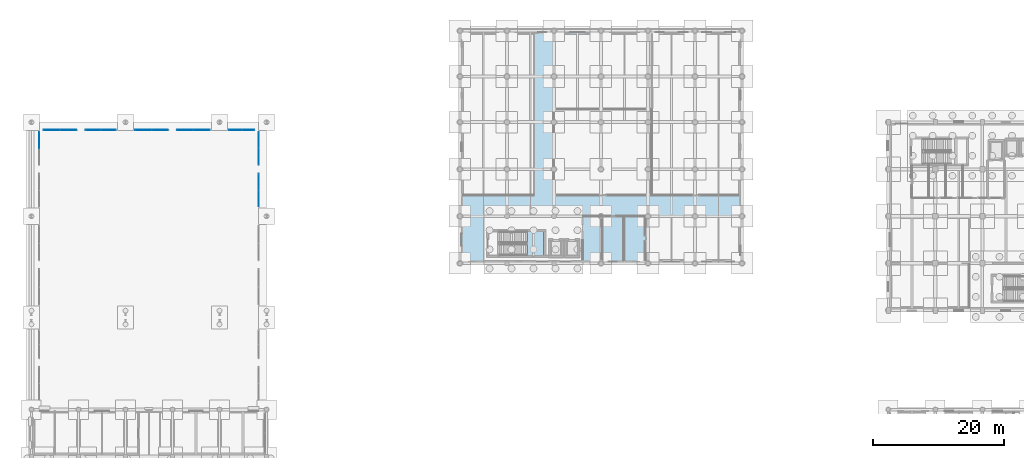
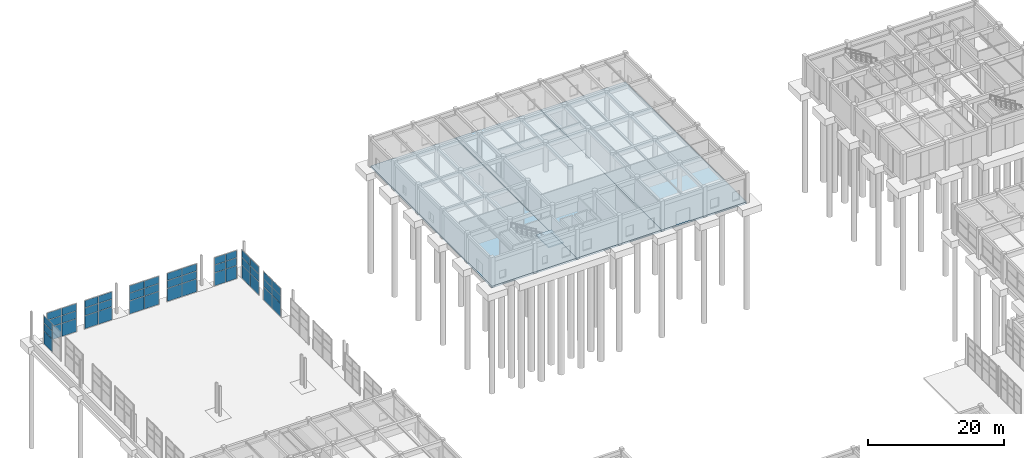
# One storey, part 59 of 91: 45 plates, 4 slabs, 9 elements without a shape of their own.
"""IFC4 building model written with IfcOpenShell, lengths in metres."""

from ifc_helpers import new_model, si_unit, direction, frame, origin, origin_2d, place, context, subcontext, project, spatial, polyline, rectangle, outline, extrude, material, layer, layer_set, type_object, element, aggregate, save


model = new_model("IFC4")

# Units and contexts
model_context = context("Model", 3, precision=1e-05, world=origin(), true_north=direction((0.0, 1.0)))
body_context = subcontext(model_context, "Body", "Model", "MODEL_VIEW")
ifc_project = project(units=[si_unit("LENGTHUNIT", "METRE"), si_unit("AREAUNIT", "SQUARE_METRE"), si_unit("VOLUMEUNIT", "CUBIC_METRE"), si_unit("PLANEANGLEUNIT", "RADIAN"), si_unit("MASSUNIT", "GRAM", prefix="KILO")], contexts=[model_context])

# Site, building, storey
site_placement = place(None, origin())
site = spatial("IfcSite", under=ifc_project, at=site_placement, CompositionType="ELEMENT")
building_placement = place(site_placement, origin())
building = spatial("IfcBuilding", under=site, at=building_placement, Name="Bramveld Media Centre", CompositionType="ELEMENT")
storey_placement = place(building_placement, origin())
storey = spatial("IfcBuildingStorey", under=building, at=storey_placement, Name="L00", CompositionType="ELEMENT", Elevation=0.0)

# Curtain wall, plates
ifc_material_1 = material(Name="Thermally broken anodized bronze aluminium unitized curtain wall with solar-control triple glazing", Category="aluminium")
curtain_wall_type_1 = type_object("IfcCurtainWallType", Name="CW-GAL-5100x5160", PredefinedType="NOTDEFINED", material=ifc_material_1)
curtain_wall_1_placement = place(storey_placement, origin())
curtain_wall_1 = element("IfcCurtainWall", 1, at=curtain_wall_1_placement, inside=storey, type_object=curtain_wall_type_1, Name="COLN-W colonnade glazed screen 8", PredefinedType="NOTDEFINED")
ifc_material_2 = material(Name="Solar-control triple insulating safety glass unit", Category="glass")
ifc_layer_1 = layer(ifc_material_2, 0.028076171875)
ifc_layer_set_1 = layer_set([ifc_layer_1], Name="Solar-control triple insulating safety glass unit")
plate_type = type_object("IfcPlateType", Name="CW-PAN-EXT", PredefinedType="CURTAIN_PANEL", material=ifc_layer_set_1)
plate_1_placement = place(storey_placement, frame((1.199951171875, 109.260009765625, 0.06005859375), z_axis=(0.0, 0.0, 1.0), x_axis=(0.0, 1.0, 0.0)))
plate_1 = element("IfcPlate", 2, at=plate_1_placement, type_object=plate_type, Name="CW-GA-5151 panel 2.1", PredefinedType="CURTAIN_PANEL", context=body_context, shape_type="SweptSolid", body=[
    extrude(rectangle(XDim=2.4599609375, YDim=0.028076171875, at=origin_2d()), origin(), (0.0, 0.0, 1.0), 2.31005859375),
])
plate_2_placement = place(storey_placement, frame((1.199951171875, 109.260009765625, 2.43017578125), z_axis=(0.0, 0.0, 1.0), x_axis=(0.0, 1.0, 0.0)))
plate_2 = element("IfcPlate", 3, at=plate_2_placement, type_object=plate_type, Name="CW-GA-5151 panel 2.2", PredefinedType="CURTAIN_PANEL", context=body_context, shape_type="SweptSolid", body=[
    extrude(rectangle(XDim=2.4599609375, YDim=0.028076171875, at=origin_2d()), origin(), (0.0, 0.0, 1.0), 1.340087890625),
])
plate_3_placement = place(storey_placement, frame((1.199951171875, 109.260009765625, 3.830078125), z_axis=(0.0, 0.0, 1.0), x_axis=(0.0, 1.0, 0.0)))
plate_3 = element("IfcPlate", 4, at=plate_3_placement, type_object=plate_type, Name="CW-GA-5151 panel 2.3", PredefinedType="CURTAIN_PANEL", context=body_context, shape_type="SweptSolid", body=[
    extrude(rectangle(XDim=2.4599609375, YDim=0.028076171875, at=origin_2d()), origin(), (0.0, 0.0, 1.0), 1.27001953125),
])
aggregate(curtain_wall_1, [plate_1, plate_2, plate_3])

curtain_wall_2_placement = place(storey_placement, origin())
curtain_wall_2 = element("IfcCurtainWall", 5, at=curtain_wall_2_placement, inside=storey, type_object=curtain_wall_type_1, Name="COLN-E colonnade glazed screen 7", PredefinedType="NOTDEFINED")
plate_4_placement = place(storey_placement, frame((34.800048828125, 100.340087890625, 0.06005859375), z_axis=(0.0, 0.0, 1.0), x_axis=(0.0, 1.0, 0.0)))
plate_4 = element("IfcPlate", 6, at=plate_4_placement, type_object=plate_type, Name="CW-GA-5151 panel 1.1", PredefinedType="CURTAIN_PANEL", context=body_context, shape_type="SweptSolid", body=[
    extrude(rectangle(XDim=2.4599609375, YDim=0.028076171875, at=origin_2d()), origin(), (0.0, 0.0, 1.0), 2.31005859375),
])
plate_5_placement = place(storey_placement, frame((34.800048828125, 100.340087890625, 2.43017578125), z_axis=(0.0, 0.0, 1.0), x_axis=(0.0, 1.0, 0.0)))
plate_5 = element("IfcPlate", 7, at=plate_5_placement, type_object=plate_type, Name="CW-GA-5151 panel 1.2", PredefinedType="CURTAIN_PANEL", context=body_context, shape_type="SweptSolid", body=[
    extrude(rectangle(XDim=2.4599609375, YDim=0.028076171875, at=origin_2d()), origin(), (0.0, 0.0, 1.0), 1.340087890625),
])
plate_6_placement = place(storey_placement, frame((34.800048828125, 100.340087890625, 3.830078125), z_axis=(0.0, 0.0, 1.0), x_axis=(0.0, 1.0, 0.0)))
plate_6 = element("IfcPlate", 8, at=plate_6_placement, type_object=plate_type, Name="CW-GA-5151 panel 1.3", PredefinedType="CURTAIN_PANEL", context=body_context, shape_type="SweptSolid", body=[
    extrude(rectangle(XDim=2.4599609375, YDim=0.028076171875, at=origin_2d()), origin(), (0.0, 0.0, 1.0), 1.27001953125),
])
plate_7_placement = place(storey_placement, frame((34.800048828125, 102.860107421875, 0.06005859375), z_axis=(0.0, 0.0, 1.0), x_axis=(0.0, 1.0, 0.0)))
plate_7 = element("IfcPlate", 9, at=plate_7_placement, type_object=plate_type, Name="CW-GA-5151 panel 2.1", PredefinedType="CURTAIN_PANEL", context=body_context, shape_type="SweptSolid", body=[
    extrude(rectangle(XDim=2.4599609375, YDim=0.028076171875, at=origin_2d()), origin(), (0.0, 0.0, 1.0), 2.31005859375),
])
plate_8_placement = place(storey_placement, frame((34.800048828125, 102.860107421875, 2.43017578125), z_axis=(0.0, 0.0, 1.0), x_axis=(0.0, 1.0, 0.0)))
plate_8 = element("IfcPlate", 10, at=plate_8_placement, type_object=plate_type, Name="CW-GA-5151 panel 2.2", PredefinedType="CURTAIN_PANEL", context=body_context, shape_type="SweptSolid", body=[
    extrude(rectangle(XDim=2.4599609375, YDim=0.028076171875, at=origin_2d()), origin(), (0.0, 0.0, 1.0), 1.340087890625),
])
plate_9_placement = place(storey_placement, frame((34.800048828125, 102.860107421875, 3.830078125), z_axis=(0.0, 0.0, 1.0), x_axis=(0.0, 1.0, 0.0)))
plate_9 = element("IfcPlate", 11, at=plate_9_placement, type_object=plate_type, Name="CW-GA-5151 panel 2.3", PredefinedType="CURTAIN_PANEL", context=body_context, shape_type="SweptSolid", body=[
    extrude(rectangle(XDim=2.4599609375, YDim=0.028076171875, at=origin_2d()), origin(), (0.0, 0.0, 1.0), 1.27001953125),
])
aggregate(curtain_wall_2, [plate_4, plate_5, plate_6, plate_7, plate_8, plate_9])

curtain_wall_3_placement = place(storey_placement, origin())
curtain_wall_3 = element("IfcCurtainWall", 12, at=curtain_wall_3_placement, inside=storey, type_object=curtain_wall_type_1, Name="COLN-E colonnade glazed screen 8", PredefinedType="NOTDEFINED")
plate_10_placement = place(storey_placement, frame((34.800048828125, 106.739990234375, 0.06005859375), z_axis=(0.0, 0.0, 1.0), x_axis=(0.0, 1.0, 0.0)))
plate_10 = element("IfcPlate", 13, at=plate_10_placement, type_object=plate_type, Name="CW-GA-5151 panel 1.1", PredefinedType="CURTAIN_PANEL", context=body_context, shape_type="SweptSolid", body=[
    extrude(rectangle(XDim=2.4599609375, YDim=0.028076171875, at=origin_2d()), origin(), (0.0, 0.0, 1.0), 2.31005859375),
])
plate_11_placement = place(storey_placement, frame((34.800048828125, 106.739990234375, 2.43017578125), z_axis=(0.0, 0.0, 1.0), x_axis=(0.0, 1.0, 0.0)))
plate_11 = element("IfcPlate", 14, at=plate_11_placement, type_object=plate_type, Name="CW-GA-5151 panel 1.2", PredefinedType="CURTAIN_PANEL", context=body_context, shape_type="SweptSolid", body=[
    extrude(rectangle(XDim=2.4599609375, YDim=0.028076171875, at=origin_2d()), origin(), (0.0, 0.0, 1.0), 1.340087890625),
])
plate_12_placement = place(storey_placement, frame((34.800048828125, 106.739990234375, 3.830078125), z_axis=(0.0, 0.0, 1.0), x_axis=(0.0, 1.0, 0.0)))
plate_12 = element("IfcPlate", 15, at=plate_12_placement, type_object=plate_type, Name="CW-GA-5151 panel 1.3", PredefinedType="CURTAIN_PANEL", context=body_context, shape_type="SweptSolid", body=[
    extrude(rectangle(XDim=2.4599609375, YDim=0.028076171875, at=origin_2d()), origin(), (0.0, 0.0, 1.0), 1.27001953125),
])
plate_13_placement = place(storey_placement, frame((34.800048828125, 109.260009765625, 0.06005859375), z_axis=(0.0, 0.0, 1.0), x_axis=(0.0, 1.0, 0.0)))
plate_13 = element("IfcPlate", 16, at=plate_13_placement, type_object=plate_type, Name="CW-GA-5151 panel 2.1", PredefinedType="CURTAIN_PANEL", context=body_context, shape_type="SweptSolid", body=[
    extrude(rectangle(XDim=2.4599609375, YDim=0.028076171875, at=origin_2d()), origin(), (0.0, 0.0, 1.0), 2.31005859375),
])
plate_14_placement = place(storey_placement, frame((34.800048828125, 109.260009765625, 2.43017578125), z_axis=(0.0, 0.0, 1.0), x_axis=(0.0, 1.0, 0.0)))
plate_14 = element("IfcPlate", 17, at=plate_14_placement, type_object=plate_type, Name="CW-GA-5151 panel 2.2", PredefinedType="CURTAIN_PANEL", context=body_context, shape_type="SweptSolid", body=[
    extrude(rectangle(XDim=2.4599609375, YDim=0.028076171875, at=origin_2d()), origin(), (0.0, 0.0, 1.0), 1.340087890625),
])
plate_15_placement = place(storey_placement, frame((34.800048828125, 109.260009765625, 3.830078125), z_axis=(0.0, 0.0, 1.0), x_axis=(0.0, 1.0, 0.0)))
plate_15 = element("IfcPlate", 18, at=plate_15_placement, type_object=plate_type, Name="CW-GA-5151 panel 2.3", PredefinedType="CURTAIN_PANEL", context=body_context, shape_type="SweptSolid", body=[
    extrude(rectangle(XDim=2.4599609375, YDim=0.028076171875, at=origin_2d()), origin(), (0.0, 0.0, 1.0), 1.27001953125),
])
aggregate(curtain_wall_3, [plate_10, plate_11, plate_12, plate_13, plate_14, plate_15])

curtain_wall_4_placement = place(storey_placement, origin())
curtain_wall_4 = element("IfcCurtainWall", 19, at=curtain_wall_4_placement, inside=storey, type_object=curtain_wall_type_1, Name="COLN-N colonnade glazed screen 1", PredefinedType="NOTDEFINED")
plate_16_placement = place(storey_placement, frame((3.139892578125, 110.800048828125, 0.06005859375), z_axis=(0.0, 0.0, 1.0), x_axis=(1.0, 0.0, 0.0)))
plate_16 = element("IfcPlate", 20, at=plate_16_placement, type_object=plate_type, Name="CW-GA-5151 panel 1.1", PredefinedType="CURTAIN_PANEL", context=body_context, shape_type="SweptSolid", body=[
    extrude(rectangle(XDim=2.4599609375, YDim=0.028076171875, at=origin_2d()), origin(), (0.0, 0.0, 1.0), 2.31005859375),
])
plate_17_placement = place(storey_placement, frame((3.139892578125, 110.800048828125, 2.43017578125), z_axis=(0.0, 0.0, 1.0), x_axis=(1.0, 0.0, 0.0)))
plate_17 = element("IfcPlate", 21, at=plate_17_placement, type_object=plate_type, Name="CW-GA-5151 panel 1.2", PredefinedType="CURTAIN_PANEL", context=body_context, shape_type="SweptSolid", body=[
    extrude(rectangle(XDim=2.4599609375, YDim=0.028076171875, at=origin_2d()), origin(), (0.0, 0.0, 1.0), 1.340087890625),
])
plate_18_placement = place(storey_placement, frame((3.139892578125, 110.800048828125, 3.830078125), z_axis=(0.0, 0.0, 1.0), x_axis=(1.0, 0.0, 0.0)))
plate_18 = element("IfcPlate", 22, at=plate_18_placement, type_object=plate_type, Name="CW-GA-5151 panel 1.3", PredefinedType="CURTAIN_PANEL", context=body_context, shape_type="SweptSolid", body=[
    extrude(rectangle(XDim=2.4599609375, YDim=0.028076171875, at=origin_2d()), origin(), (0.0, 0.0, 1.0), 1.27001953125),
])
plate_19_placement = place(storey_placement, frame((5.659912109375, 110.800048828125, 0.06005859375), z_axis=(0.0, 0.0, 1.0), x_axis=(1.0, 0.0, 0.0)))
plate_19 = element("IfcPlate", 23, at=plate_19_placement, type_object=plate_type, Name="CW-GA-5151 panel 2.1", PredefinedType="CURTAIN_PANEL", context=body_context, shape_type="SweptSolid", body=[
    extrude(rectangle(XDim=2.4599609375, YDim=0.028076171875, at=origin_2d()), origin(), (0.0, 0.0, 1.0), 2.31005859375),
])
plate_20_placement = place(storey_placement, frame((5.659912109375, 110.800048828125, 2.43017578125), z_axis=(0.0, 0.0, 1.0), x_axis=(1.0, 0.0, 0.0)))
plate_20 = element("IfcPlate", 24, at=plate_20_placement, type_object=plate_type, Name="CW-GA-5151 panel 2.2", PredefinedType="CURTAIN_PANEL", context=body_context, shape_type="SweptSolid", body=[
    extrude(rectangle(XDim=2.4599609375, YDim=0.028076171875, at=origin_2d()), origin(), (0.0, 0.0, 1.0), 1.340087890625),
])
plate_21_placement = place(storey_placement, frame((5.659912109375, 110.800048828125, 3.830078125), z_axis=(0.0, 0.0, 1.0), x_axis=(1.0, 0.0, 0.0)))
plate_21 = element("IfcPlate", 25, at=plate_21_placement, type_object=plate_type, Name="CW-GA-5151 panel 2.3", PredefinedType="CURTAIN_PANEL", context=body_context, shape_type="SweptSolid", body=[
    extrude(rectangle(XDim=2.4599609375, YDim=0.028076171875, at=origin_2d()), origin(), (0.0, 0.0, 1.0), 1.27001953125),
])
aggregate(curtain_wall_4, [plate_16, plate_17, plate_18, plate_19, plate_20, plate_21])

ifc_material_3 = material(Name="Thermally broken anodized bronze aluminium unitized curtain wall with solar-control triple glazing", Category="aluminium")
curtain_wall_type_2 = type_object("IfcCurtainWallType", Name="CW-GAL-4700x5160", PredefinedType="NOTDEFINED", material=ifc_material_3)
curtain_wall_5_placement = place(storey_placement, origin())
curtain_wall_5 = element("IfcCurtainWall", 26, at=curtain_wall_5_placement, inside=storey, type_object=curtain_wall_type_2, Name="COLN-N colonnade glazed screen 2", PredefinedType="NOTDEFINED")
plate_22_placement = place(storey_placement, frame((9.43994140625, 110.800048828125, 0.06005859375), z_axis=(0.0, 0.0, 1.0), x_axis=(1.0, 0.0, 0.0)))
plate_22 = element("IfcPlate", 27, at=plate_22_placement, type_object=plate_type, Name="CW-GA-4751 panel 1.1", PredefinedType="CURTAIN_PANEL", context=body_context, shape_type="SweptSolid", body=[
    extrude(rectangle(XDim=2.260009765625, YDim=0.028076171875, at=origin_2d()), origin(), (0.0, 0.0, 1.0), 2.31005859375),
])
plate_23_placement = place(storey_placement, frame((9.43994140625, 110.800048828125, 2.43017578125), z_axis=(0.0, 0.0, 1.0), x_axis=(1.0, 0.0, 0.0)))
plate_23 = element("IfcPlate", 28, at=plate_23_placement, type_object=plate_type, Name="CW-GA-4751 panel 1.2", PredefinedType="CURTAIN_PANEL", context=body_context, shape_type="SweptSolid", body=[
    extrude(rectangle(XDim=2.260009765625, YDim=0.028076171875, at=origin_2d()), origin(), (0.0, 0.0, 1.0), 1.340087890625),
])
plate_24_placement = place(storey_placement, frame((9.43994140625, 110.800048828125, 3.830078125), z_axis=(0.0, 0.0, 1.0), x_axis=(1.0, 0.0, 0.0)))
plate_24 = element("IfcPlate", 29, at=plate_24_placement, type_object=plate_type, Name="CW-GA-4751 panel 1.3", PredefinedType="CURTAIN_PANEL", context=body_context, shape_type="SweptSolid", body=[
    extrude(rectangle(XDim=2.260009765625, YDim=0.028076171875, at=origin_2d()), origin(), (0.0, 0.0, 1.0), 1.27001953125),
])
plate_25_placement = place(storey_placement, frame((11.760009765625, 110.800048828125, 0.06005859375), z_axis=(0.0, 0.0, 1.0), x_axis=(1.0, 0.0, 0.0)))
plate_25 = element("IfcPlate", 30, at=plate_25_placement, type_object=plate_type, Name="CW-GA-4751 panel 2.1", PredefinedType="CURTAIN_PANEL", context=body_context, shape_type="SweptSolid", body=[
    extrude(rectangle(XDim=2.260009765625, YDim=0.028076171875, at=origin_2d()), origin(), (0.0, 0.0, 1.0), 2.31005859375),
])
plate_26_placement = place(storey_placement, frame((11.760009765625, 110.800048828125, 2.43017578125), z_axis=(0.0, 0.0, 1.0), x_axis=(1.0, 0.0, 0.0)))
plate_26 = element("IfcPlate", 31, at=plate_26_placement, type_object=plate_type, Name="CW-GA-4751 panel 2.2", PredefinedType="CURTAIN_PANEL", context=body_context, shape_type="SweptSolid", body=[
    extrude(rectangle(XDim=2.260009765625, YDim=0.028076171875, at=origin_2d()), origin(), (0.0, 0.0, 1.0), 1.340087890625),
])
plate_27_placement = place(storey_placement, frame((11.760009765625, 110.800048828125, 3.830078125), z_axis=(0.0, 0.0, 1.0), x_axis=(1.0, 0.0, 0.0)))
plate_27 = element("IfcPlate", 32, at=plate_27_placement, type_object=plate_type, Name="CW-GA-4751 panel 2.3", PredefinedType="CURTAIN_PANEL", context=body_context, shape_type="SweptSolid", body=[
    extrude(rectangle(XDim=2.260009765625, YDim=0.028076171875, at=origin_2d()), origin(), (0.0, 0.0, 1.0), 1.27001953125),
])
aggregate(curtain_wall_5, [plate_22, plate_23, plate_24, plate_25, plate_26, plate_27])

curtain_wall_6_placement = place(storey_placement, origin())
curtain_wall_6 = element("IfcCurtainWall", 33, at=curtain_wall_6_placement, inside=storey, type_object=curtain_wall_type_1, Name="COLN-N colonnade glazed screen 4", PredefinedType="NOTDEFINED")
plate_28_placement = place(storey_placement, frame((17.139892578125, 110.800048828125, 0.06005859375), z_axis=(0.0, 0.0, 1.0), x_axis=(1.0, 0.0, 0.0)))
plate_28 = element("IfcPlate", 34, at=plate_28_placement, type_object=plate_type, Name="CW-GA-5151 panel 1.1", PredefinedType="CURTAIN_PANEL", context=body_context, shape_type="SweptSolid", body=[
    extrude(rectangle(XDim=2.4599609375, YDim=0.028076171875, at=origin_2d()), origin(), (0.0, 0.0, 1.0), 2.31005859375),
])
plate_29_placement = place(storey_placement, frame((17.139892578125, 110.800048828125, 2.43017578125), z_axis=(0.0, 0.0, 1.0), x_axis=(1.0, 0.0, 0.0)))
plate_29 = element("IfcPlate", 35, at=plate_29_placement, type_object=plate_type, Name="CW-GA-5151 panel 1.2", PredefinedType="CURTAIN_PANEL", context=body_context, shape_type="SweptSolid", body=[
    extrude(rectangle(XDim=2.4599609375, YDim=0.028076171875, at=origin_2d()), origin(), (0.0, 0.0, 1.0), 1.340087890625),
])
plate_30_placement = place(storey_placement, frame((17.139892578125, 110.800048828125, 3.830078125), z_axis=(0.0, 0.0, 1.0), x_axis=(1.0, 0.0, 0.0)))
plate_30 = element("IfcPlate", 36, at=plate_30_placement, type_object=plate_type, Name="CW-GA-5151 panel 1.3", PredefinedType="CURTAIN_PANEL", context=body_context, shape_type="SweptSolid", body=[
    extrude(rectangle(XDim=2.4599609375, YDim=0.028076171875, at=origin_2d()), origin(), (0.0, 0.0, 1.0), 1.27001953125),
])
plate_31_placement = place(storey_placement, frame((19.659912109375, 110.800048828125, 0.06005859375), z_axis=(0.0, 0.0, 1.0), x_axis=(1.0, 0.0, 0.0)))
plate_31 = element("IfcPlate", 37, at=plate_31_placement, type_object=plate_type, Name="CW-GA-5151 panel 2.1", PredefinedType="CURTAIN_PANEL", context=body_context, shape_type="SweptSolid", body=[
    extrude(rectangle(XDim=2.4599609375, YDim=0.028076171875, at=origin_2d()), origin(), (0.0, 0.0, 1.0), 2.31005859375),
])
plate_32_placement = place(storey_placement, frame((19.659912109375, 110.800048828125, 2.43017578125), z_axis=(0.0, 0.0, 1.0), x_axis=(1.0, 0.0, 0.0)))
plate_32 = element("IfcPlate", 38, at=plate_32_placement, type_object=plate_type, Name="CW-GA-5151 panel 2.2", PredefinedType="CURTAIN_PANEL", context=body_context, shape_type="SweptSolid", body=[
    extrude(rectangle(XDim=2.4599609375, YDim=0.028076171875, at=origin_2d()), origin(), (0.0, 0.0, 1.0), 1.340087890625),
])
plate_33_placement = place(storey_placement, frame((19.659912109375, 110.800048828125, 3.830078125), z_axis=(0.0, 0.0, 1.0), x_axis=(1.0, 0.0, 0.0)))
plate_33 = element("IfcPlate", 39, at=plate_33_placement, type_object=plate_type, Name="CW-GA-5151 panel 2.3", PredefinedType="CURTAIN_PANEL", context=body_context, shape_type="SweptSolid", body=[
    extrude(rectangle(XDim=2.4599609375, YDim=0.028076171875, at=origin_2d()), origin(), (0.0, 0.0, 1.0), 1.27001953125),
])
aggregate(curtain_wall_6, [plate_28, plate_29, plate_30, plate_31, plate_32, plate_33])

curtain_wall_7_placement = place(storey_placement, origin())
curtain_wall_7 = element("IfcCurtainWall", 40, at=curtain_wall_7_placement, inside=storey, type_object=curtain_wall_type_1, Name="COLN-N colonnade glazed screen 5", PredefinedType="NOTDEFINED")
plate_34_placement = place(storey_placement, frame((23.5400390625, 110.800048828125, 0.06005859375), z_axis=(0.0, 0.0, 1.0), x_axis=(1.0, 0.0, 0.0)))
plate_34 = element("IfcPlate", 41, at=plate_34_placement, type_object=plate_type, Name="CW-GA-5151 panel 1.1", PredefinedType="CURTAIN_PANEL", context=body_context, shape_type="SweptSolid", body=[
    extrude(rectangle(XDim=2.4599609375, YDim=0.028076171875, at=origin_2d()), origin(), (0.0, 0.0, 1.0), 2.31005859375),
])
plate_35_placement = place(storey_placement, frame((23.5400390625, 110.800048828125, 2.43017578125), z_axis=(0.0, 0.0, 1.0), x_axis=(1.0, 0.0, 0.0)))
plate_35 = element("IfcPlate", 42, at=plate_35_placement, type_object=plate_type, Name="CW-GA-5151 panel 1.2", PredefinedType="CURTAIN_PANEL", context=body_context, shape_type="SweptSolid", body=[
    extrude(rectangle(XDim=2.4599609375, YDim=0.028076171875, at=origin_2d()), origin(), (0.0, 0.0, 1.0), 1.340087890625),
])
plate_36_placement = place(storey_placement, frame((23.5400390625, 110.800048828125, 3.830078125), z_axis=(0.0, 0.0, 1.0), x_axis=(1.0, 0.0, 0.0)))
plate_36 = element("IfcPlate", 43, at=plate_36_placement, type_object=plate_type, Name="CW-GA-5151 panel 1.3", PredefinedType="CURTAIN_PANEL", context=body_context, shape_type="SweptSolid", body=[
    extrude(rectangle(XDim=2.4599609375, YDim=0.028076171875, at=origin_2d()), origin(), (0.0, 0.0, 1.0), 1.27001953125),
])
plate_37_placement = place(storey_placement, frame((26.06005859375, 110.800048828125, 0.06005859375), z_axis=(0.0, 0.0, 1.0), x_axis=(1.0, 0.0, 0.0)))
plate_37 = element("IfcPlate", 44, at=plate_37_placement, type_object=plate_type, Name="CW-GA-5151 panel 2.1", PredefinedType="CURTAIN_PANEL", context=body_context, shape_type="SweptSolid", body=[
    extrude(rectangle(XDim=2.4599609375, YDim=0.028076171875, at=origin_2d()), origin(), (0.0, 0.0, 1.0), 2.31005859375),
])
plate_38_placement = place(storey_placement, frame((26.06005859375, 110.800048828125, 2.43017578125), z_axis=(0.0, 0.0, 1.0), x_axis=(1.0, 0.0, 0.0)))
plate_38 = element("IfcPlate", 45, at=plate_38_placement, type_object=plate_type, Name="CW-GA-5151 panel 2.2", PredefinedType="CURTAIN_PANEL", context=body_context, shape_type="SweptSolid", body=[
    extrude(rectangle(XDim=2.4599609375, YDim=0.028076171875, at=origin_2d()), origin(), (0.0, 0.0, 1.0), 1.340087890625),
])
plate_39_placement = place(storey_placement, frame((26.06005859375, 110.800048828125, 3.830078125), z_axis=(0.0, 0.0, 1.0), x_axis=(1.0, 0.0, 0.0)))
plate_39 = element("IfcPlate", 46, at=plate_39_placement, type_object=plate_type, Name="CW-GA-5151 panel 2.3", PredefinedType="CURTAIN_PANEL", context=body_context, shape_type="SweptSolid", body=[
    extrude(rectangle(XDim=2.4599609375, YDim=0.028076171875, at=origin_2d()), origin(), (0.0, 0.0, 1.0), 1.27001953125),
])
aggregate(curtain_wall_7, [plate_34, plate_35, plate_36, plate_37, plate_38, plate_39])

ifc_material_4 = material(Name="Thermally broken anodized bronze aluminium unitized curtain wall with solar-control triple glazing", Category="aluminium")
curtain_wall_type_3 = type_object("IfcCurtainWallType", Name="CW-GAL-3900x5160", PredefinedType="NOTDEFINED", material=ifc_material_4)
curtain_wall_8_placement = place(storey_placement, origin())
curtain_wall_8 = element("IfcCurtainWall", 47, at=curtain_wall_8_placement, inside=storey, type_object=curtain_wall_type_3, Name="COLN-N colonnade glazed screen 7", PredefinedType="NOTDEFINED")
plate_40_placement = place(storey_placement, frame((31.239990234375, 110.800048828125, 0.06005859375), z_axis=(0.0, 0.0, 1.0), x_axis=(1.0, 0.0, 0.0)))
plate_40 = element("IfcPlate", 48, at=plate_40_placement, type_object=plate_type, Name="CW-GA-3951 panel 1.1", PredefinedType="CURTAIN_PANEL", context=body_context, shape_type="SweptSolid", body=[
    extrude(rectangle(XDim=1.860107421875, YDim=0.028076171875, at=origin_2d()), origin(), (0.0, 0.0, 1.0), 2.31005859375),
])
plate_41_placement = place(storey_placement, frame((31.239990234375, 110.800048828125, 2.43017578125), z_axis=(0.0, 0.0, 1.0), x_axis=(1.0, 0.0, 0.0)))
plate_41 = element("IfcPlate", 49, at=plate_41_placement, type_object=plate_type, Name="CW-GA-3951 panel 1.2", PredefinedType="CURTAIN_PANEL", context=body_context, shape_type="SweptSolid", body=[
    extrude(rectangle(XDim=1.860107421875, YDim=0.028076171875, at=origin_2d()), origin(), (0.0, 0.0, 1.0), 1.340087890625),
])
plate_42_placement = place(storey_placement, frame((31.239990234375, 110.800048828125, 3.830078125), z_axis=(0.0, 0.0, 1.0), x_axis=(1.0, 0.0, 0.0)))
plate_42 = element("IfcPlate", 50, at=plate_42_placement, type_object=plate_type, Name="CW-GA-3951 panel 1.3", PredefinedType="CURTAIN_PANEL", context=body_context, shape_type="SweptSolid", body=[
    extrude(rectangle(XDim=1.860107421875, YDim=0.028076171875, at=origin_2d()), origin(), (0.0, 0.0, 1.0), 1.27001953125),
])
plate_43_placement = place(storey_placement, frame((33.159912109375, 110.800048828125, 0.06005859375), z_axis=(0.0, 0.0, 1.0), x_axis=(1.0, 0.0, 0.0)))
plate_43 = element("IfcPlate", 51, at=plate_43_placement, type_object=plate_type, Name="CW-GA-3951 panel 2.1", PredefinedType="CURTAIN_PANEL", context=body_context, shape_type="SweptSolid", body=[
    extrude(rectangle(XDim=1.860107421875, YDim=0.028076171875, at=origin_2d()), origin(), (0.0, 0.0, 1.0), 2.31005859375),
])
plate_44_placement = place(storey_placement, frame((33.159912109375, 110.800048828125, 2.43017578125), z_axis=(0.0, 0.0, 1.0), x_axis=(1.0, 0.0, 0.0)))
plate_44 = element("IfcPlate", 52, at=plate_44_placement, type_object=plate_type, Name="CW-GA-3951 panel 2.2", PredefinedType="CURTAIN_PANEL", context=body_context, shape_type="SweptSolid", body=[
    extrude(rectangle(XDim=1.860107421875, YDim=0.028076171875, at=origin_2d()), origin(), (0.0, 0.0, 1.0), 1.340087890625),
])
plate_45_placement = place(storey_placement, frame((33.159912109375, 110.800048828125, 3.830078125), z_axis=(0.0, 0.0, 1.0), x_axis=(1.0, 0.0, 0.0)))
plate_45 = element("IfcPlate", 53, at=plate_45_placement, type_object=plate_type, Name="CW-GA-3951 panel 2.3", PredefinedType="CURTAIN_PANEL", context=body_context, shape_type="SweptSolid", body=[
    extrude(rectangle(XDim=1.860107421875, YDim=0.028076171875, at=origin_2d()), origin(), (0.0, 0.0, 1.0), 1.27001953125),
])
aggregate(curtain_wall_8, [plate_40, plate_41, plate_42, plate_43, plate_44, plate_45])

# Slabs
ifc_material_5 = material(Name="Concrete C35/45", Category="concrete")
ifc_layer_2 = layer(ifc_material_5, 0.320068359375)
ifc_layer_set_2 = layer_set([ifc_layer_2], Name="Concrete C35/45")
slab_type_1 = type_object("IfcSlabType", Name="SLAB-BASESLAB-INT-320", PredefinedType="BASESLAB", material=ifc_layer_set_2)
slab_1_placement = place(storey_placement, frame((0.0, 0.0, -0.320068359375)))
element("IfcSlab", 54, at=slab_1_placement, inside=storey, type_object=slab_type_1, Name="V6 L00 structural slab 1", PredefinedType="BASESLAB", context=body_context, shape_type="SweptSolid", body=[
    extrude(outline(polyline([(65.60009765625, 90.39990234375), (65.60009765625, 126.0), (80.0, 126.0), (80.0, 90.39990234375), (65.60009765625, 90.39990234375)])), origin(), (0.0, 0.0, 1.0), 0.320068359375),
])
slab_2_placement = place(storey_placement, frame((0.0, 0.0, -0.320068359375)))
element("IfcSlab", 55, at=slab_2_placement, inside=storey, type_object=slab_type_1, Name="V6 L00 structural slab 2", PredefinedType="BASESLAB", context=body_context, shape_type="SweptSolid", body=[
    extrude(outline(polyline([(94.39990234375, 126.0), (94.39990234375, 90.39990234375), (80.0, 90.39990234375), (80.0, 126.0), (94.39990234375, 126.0)])), origin(), (0.0, 0.0, 1.0), 0.320068359375),
])
slab_3_placement = place(storey_placement, frame((0.0, 0.0, -0.320068359375)))
element("IfcSlab", 56, at=slab_3_placement, inside=storey, type_object=slab_type_1, Name="V6 L00 structural slab 3", PredefinedType="BASESLAB", context=body_context, shape_type="SweptSolid", body=[
    extrude(outline(polyline([(108.800048828125, 126.0), (108.800048828125, 90.39990234375), (94.39990234375, 90.39990234375), (94.39990234375, 126.0), (108.800048828125, 126.0)])), origin(), (0.0, 0.0, 1.0), 0.320068359375),
])

# Stair, slab
ifc_material_6 = material(Name="Concrete C40/50", Category="concrete")
stair_type = type_object("IfcStairType", Name="STAIR-ST-07-32R-1700", PredefinedType="HALF_TURN_STAIR", material=ifc_material_6)
stair_placement = place(storey_placement, origin())
stair = element("IfcStair", 57, at=stair_placement, inside=storey, type_object=stair_type, Name="L00 Exhibition & Sound Lab Primary Stair", PredefinedType="HALF_TURN_STAIR")
ifc_material_7 = material(Name="Concrete C40/50", Category="concrete")
ifc_layer_3 = layer(ifc_material_7, 0.199951171875)
ifc_layer_set_3 = layer_set([ifc_layer_3], Name="Concrete C40/50")
slab_type_2 = type_object("IfcSlabType", Name="SLAB-STAIR-LAND-200", PredefinedType="LANDING", material=ifc_layer_set_3)
slab_4_placement = place(storey_placement, frame((0.0, 0.0, 2.5)))
slab_4 = element("IfcSlab", 58, at=slab_4_placement, type_object=slab_type_2, Name="ST-07 landing 1", PredefinedType="LANDING", context=body_context, shape_type="SweptSolid", body=[
    extrude(outline(polyline([(75.89990234375, 91.60009765625), (78.5, 91.60009765625), (78.5, 95.25), (75.89990234375, 95.25), (75.89990234375, 91.60009765625)])), origin(), (0.0, 0.0, 1.0), 0.199951171875),
])
aggregate(stair, [slab_4])

save(model, "model.ifc")
